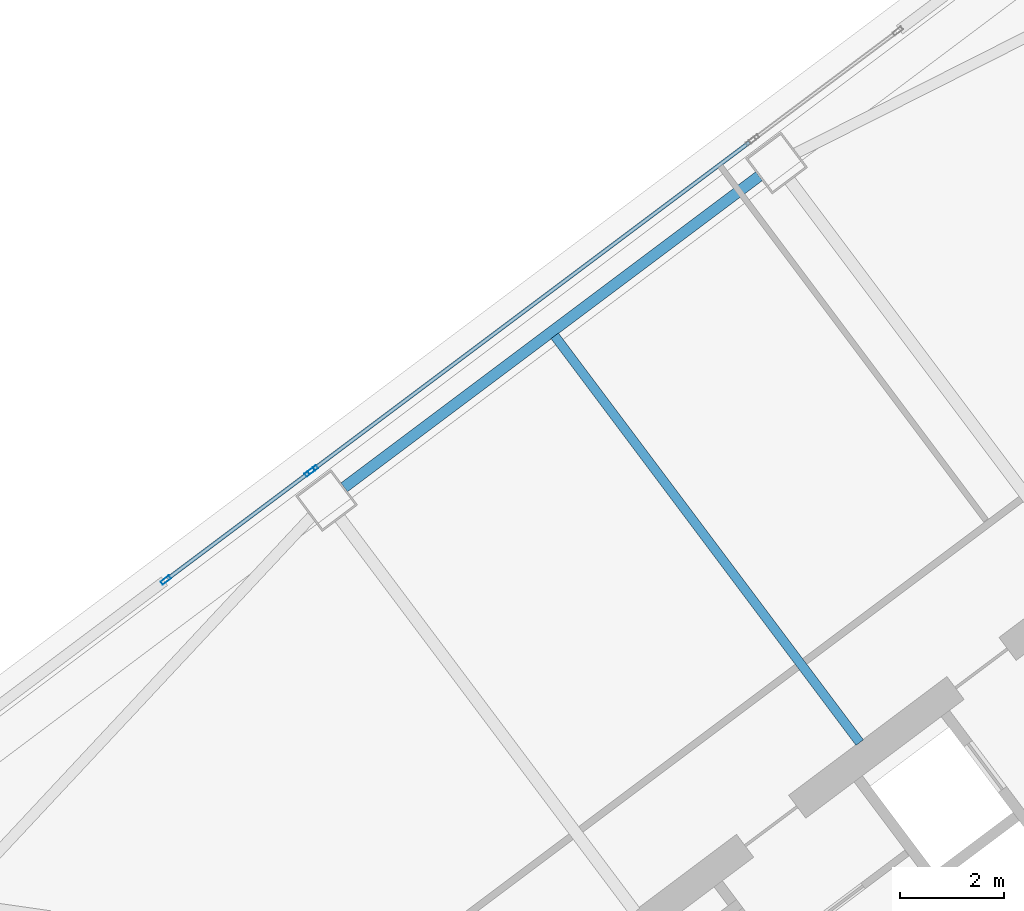
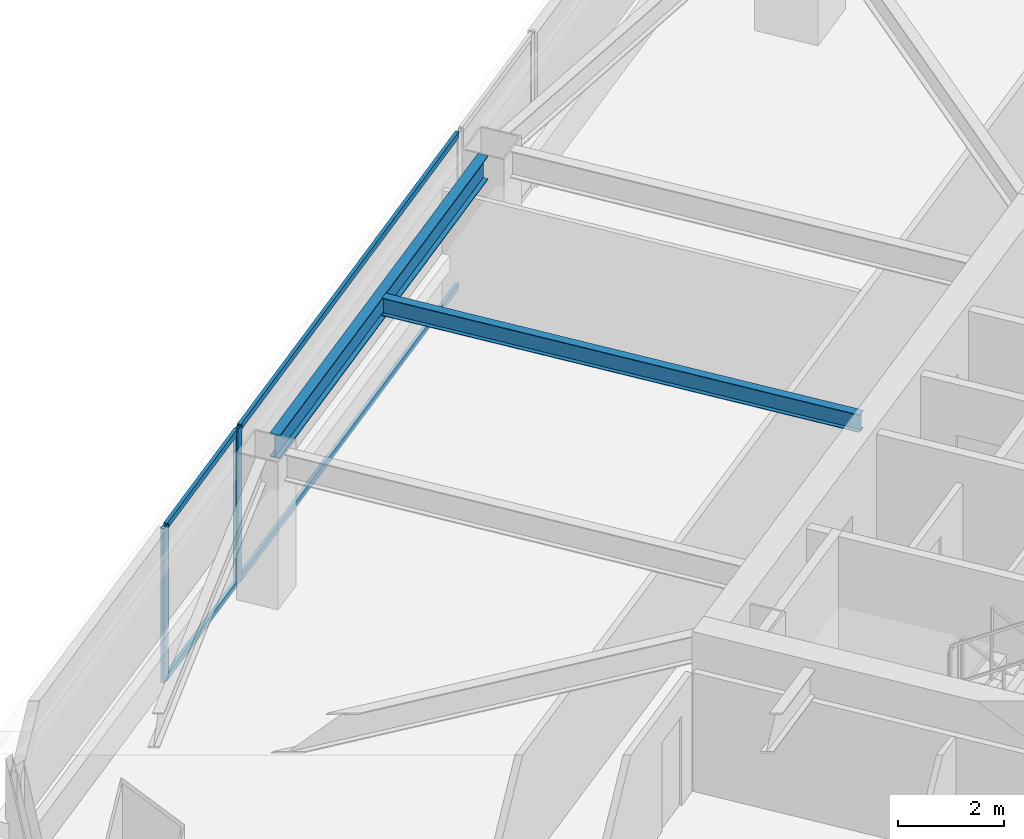
# One storey, part 25 of 40: 7 members, 2 beams, 2 elements without a shape of their own.
"""IFC4 building model written with IfcOpenShell, lengths in metres."""

from ifc_helpers import new_model, si_unit, direction, frame, origin, origin_2d, place, context, subcontext, project, spatial, hollow_rectangle, i_section, extrude, material, material_profile, profile_set, type_object, element, aggregate, save


model = new_model("IFC4")

# Units and contexts
model_context = context("Model", 3, precision=1e-05, world=origin(), true_north=direction((0.0, 1.0)))
body_context = subcontext(model_context, "Body", "Model", "MODEL_VIEW")
ifc_project = project(units=[si_unit("LENGTHUNIT", "METRE"), si_unit("AREAUNIT", "SQUARE_METRE"), si_unit("VOLUMEUNIT", "CUBIC_METRE"), si_unit("PLANEANGLEUNIT", "RADIAN"), si_unit("MASSUNIT", "GRAM", prefix="KILO")], contexts=[model_context])

# Site, building, storey
site_placement = place(None, origin())
site = spatial("IfcSite", under=ifc_project, at=site_placement, CompositionType="ELEMENT")
building_placement = place(site_placement, origin())
building = spatial("IfcBuilding", under=site, at=building_placement, Name="Tashvorn Skyway Center", CompositionType="ELEMENT")
storey_placement = place(building_placement, frame((0.0, 0.0, 142.800048828125)))
storey = spatial("IfcBuildingStorey", under=building, at=storey_placement, Name="L38", CompositionType="ELEMENT", Elevation=142.800048828125)

# Beams
ifc_material_1 = material(Name="Steel ASTM A992 Grade 50", Category="steel")
ifc_material_profile_1 = material_profile(ifc_material_1, i_section(OverallWidth=0.177978515625, OverallDepth=0.406005859375, WebThickness=0.0078125, FlangeThickness=0.0126953125, at=origin_2d()), Name="W16X40")
ifc_profile_set_1 = profile_set([ifc_material_profile_1], Name="Steel ASTM A992 Grade 50")
beam_type_1 = type_object("IfcBeamType", Name="BM-JOIST-W16X40", PredefinedType="JOIST", material=ifc_profile_set_1)
beam_1_placement = place(storey_placement, frame((109.325927734375, 38.23193359375, 3.1669921875), z_axis=(-0.599991997409, 0.800006001881, 0.0), x_axis=(-0.800006001881, -0.599991997409, 0.0)))
element("IfcBeam", 1, at=beam_1_placement, inside=storey, type_object=beam_type_1, Name="Tower 2 L38 Secondary Composite Joist JN", PredefinedType="JOIST", context=body_context, shape_type="SweptSolid", body=[
    extrude(i_section(OverallWidth=0.177978515625, OverallDepth=0.406005859375, WebThickness=0.0078125, FlangeThickness=0.0126953125, at=origin_2d()), origin(), (0.0, 0.0, 1.0), 9.762451171875),
])
ifc_material_profile_2 = material_profile(ifc_material_1, i_section(OverallWidth=0.2109375, OverallDepth=0.5390625, WebThickness=0.01171875, FlangeThickness=0.018798828125, at=origin_2d()), Name="W21X73")
ifc_profile_set_2 = profile_set([ifc_material_profile_2], Name="Steel ASTM A992 Grade 50")
beam_type_2 = type_object("IfcBeamType", Name="BM-SPANDREL-W21X73", PredefinedType="SPANDREL", material=ifc_profile_set_2)
beam_2_placement = place(storey_placement, frame((107.39404296875, 49.10791015625, 3.100341796875), z_axis=(-0.800008824351, -0.599988234018, 0.0), x_axis=(0.599988234018, -0.800008824351, 0.0)))
element("IfcBeam", 2, at=beam_2_placement, inside=storey, type_object=beam_type_2, Name="Tower 2 L38 Spandrel Beam 08", PredefinedType="SPANDREL", context=body_context, shape_type="SweptSolid", body=[
    extrude(i_section(OverallWidth=0.2109375, OverallDepth=0.5390625, WebThickness=0.01171875, FlangeThickness=0.018798828125, at=origin_2d()), origin(), (0.0, 0.0, 1.0), 9.9599609375),
])

# Curtain wall, members
ifc_material_2 = material(Name="Thermally broken bronze-anodized aluminium 6063-T6", Category="aluminium")
curtain_wall_type = type_object("IfcCurtainWallType", Name="CW-CW-Z3", PredefinedType="NOTDEFINED", material=ifc_material_2)
curtain_wall_1_placement = place(storey_placement, origin())
curtain_wall_1 = element("IfcCurtainWall", 3, at=curtain_wall_1_placement, inside=storey, type_object=curtain_wall_type, Name="Tower 2 L38 North Unitised Curtain Wall Glazing Group 1", PredefinedType="NOTDEFINED")
ifc_material_profile_3 = material_profile(ifc_material_2, hollow_rectangle(XDim=0.074951171875, YDim=0.199951171875, WallThickness=0.00439453125, at=origin_2d()), Name="ALU-MULL-75x200")
ifc_profile_set_3 = profile_set([ifc_material_profile_3], Name="Thermally broken bronze-anodized aluminium 6063-T6")
member_type_1 = type_object("IfcMemberType", Name="CWM-CW-Z3", PredefinedType="MULLION", material=ifc_profile_set_3)
member_1_placement = place(storey_placement, frame((96.004150390625, 41.353271484375, 0.0), z_axis=(0.0, 0.0, 1.0), x_axis=(-0.599995465948, 0.800003400519, 0.0)))
member_1 = element("IfcMember", 4, at=member_1_placement, type_object=member_type_1, Name="CW-Z3 mullion 1", PredefinedType="MULLION", context=body_context, shape_type="SweptSolid", body=[
    extrude(hollow_rectangle(XDim=0.074951171875, YDim=0.199951171875, WallThickness=0.00439453125, at=origin_2d()), origin(), (0.0, 0.0, 1.0), 3.550048828125),
])
member_2_placement = place(storey_placement, frame((98.767333984375, 43.425537109375, 0.0), z_axis=(0.0, 0.0, 1.0), x_axis=(-0.599995465948, 0.800003400519, 0.0)))
member_2 = element("IfcMember", 5, at=member_2_placement, type_object=member_type_1, Name="CW-Z3 mullion 2", PredefinedType="MULLION", context=body_context, shape_type="SweptSolid", body=[
    extrude(hollow_rectangle(XDim=0.074951171875, YDim=0.199951171875, WallThickness=0.00439453125, at=origin_2d()), origin(), (0.0, 0.0, 1.0), 3.550048828125),
])

# Curtain wall, member
curtain_wall_2_placement = place(storey_placement, origin())
curtain_wall_2 = element("IfcCurtainWall", 6, at=curtain_wall_2_placement, inside=storey, type_object=curtain_wall_type, Name="Tower 2 L38 North Unitised Curtain Wall Glazing Group 2", PredefinedType="NOTDEFINED")
member_3_placement = place(storey_placement, frame((98.827392578125, 43.470458984375, 0.0), z_axis=(0.0, 0.0, 1.0), x_axis=(-0.599996977339, 0.800002266987, 0.0)))
member_3 = element("IfcMember", 7, at=member_3_placement, type_object=member_type_1, Name="CW-Z3 mullion 1", PredefinedType="MULLION", context=body_context, shape_type="SweptSolid", body=[
    extrude(hollow_rectangle(XDim=0.074951171875, YDim=0.199951171875, WallThickness=0.00439453125, at=origin_2d()), origin(), (0.0, 0.0, 1.0), 3.550048828125),
])

# Member
ifc_material_profile_4 = material_profile(ifc_material_2, hollow_rectangle(XDim=0.074951171875, YDim=0.139892578125, WallThickness=0.004150390625, at=origin_2d()), Name="ALU-TRAN-75x140")
ifc_profile_set_4 = profile_set([ifc_material_profile_4], Name="Thermally broken bronze-anodized aluminium 6063-T6")
member_type_2 = type_object("IfcMemberType", Name="CWT-CW-Z3", PredefinedType="USERDEFINED", material=ifc_profile_set_4)
member_4_placement = place(storey_placement, frame((96.0341796875, 41.375732421875, 0.037353515625), z_axis=(0.8, 0.6, 0.0), x_axis=(-0.6, 0.8, 0.0)))
member_4 = element("IfcMember", 8, at=member_4_placement, type_object=member_type_2, Name="CW-Z3 transom 1.1", ObjectType="TRANSOM", PredefinedType="USERDEFINED", context=body_context, shape_type="SweptSolid", body=[
    extrude(hollow_rectangle(XDim=0.074951171875, YDim=0.139892578125, WallThickness=0.004150390625, at=origin_2d()), origin(), (0.0, 0.0, 1.0), 3.37890625),
])

member_5_placement = place(storey_placement, frame((96.0341796875, 41.375732421875, 3.512451171875), z_axis=(0.8, 0.6, 0.0), x_axis=(-0.6, 0.8, 0.0)))
member_5 = element("IfcMember", 9, at=member_5_placement, type_object=member_type_2, Name="CW-Z3 transom 1.2", ObjectType="TRANSOM", PredefinedType="USERDEFINED", context=body_context, shape_type="SweptSolid", body=[
    extrude(hollow_rectangle(XDim=0.074951171875, YDim=0.139892578125, WallThickness=0.004150390625, at=origin_2d()), origin(), (0.0, 0.0, 1.0), 3.37890625),
])

aggregate(curtain_wall_1, [member_1, member_2, member_4, member_5])

member_6_placement = place(storey_placement, frame((98.857421875, 43.492919921875, 0.037353515625), z_axis=(0.800002807101, 0.599996257181, 0.0), x_axis=(-0.599996257181, 0.800002807101, 0.0)))
member_6 = element("IfcMember", 10, at=member_6_placement, type_object=member_type_2, Name="CW-Z3 transom 1.1", ObjectType="TRANSOM", PredefinedType="USERDEFINED", context=body_context, shape_type="SweptSolid", body=[
    extrude(hollow_rectangle(XDim=0.074951171875, YDim=0.139892578125, WallThickness=0.004150390625, at=origin_2d()), origin(), (0.0, 0.0, 1.0), 10.436767578125),
])

member_7_placement = place(storey_placement, frame((98.857421875, 43.492919921875, 3.512451171875), z_axis=(0.800002807101, 0.599996257181, 0.0), x_axis=(-0.599996257181, 0.800002807101, 0.0)))
member_7 = element("IfcMember", 11, at=member_7_placement, type_object=member_type_2, Name="CW-Z3 transom 1.2", ObjectType="TRANSOM", PredefinedType="USERDEFINED", context=body_context, shape_type="SweptSolid", body=[
    extrude(hollow_rectangle(XDim=0.074951171875, YDim=0.139892578125, WallThickness=0.004150390625, at=origin_2d()), origin(), (0.0, 0.0, 1.0), 10.436767578125),
])

aggregate(curtain_wall_2, [member_3, member_6, member_7])

save(model, "model.ifc")
